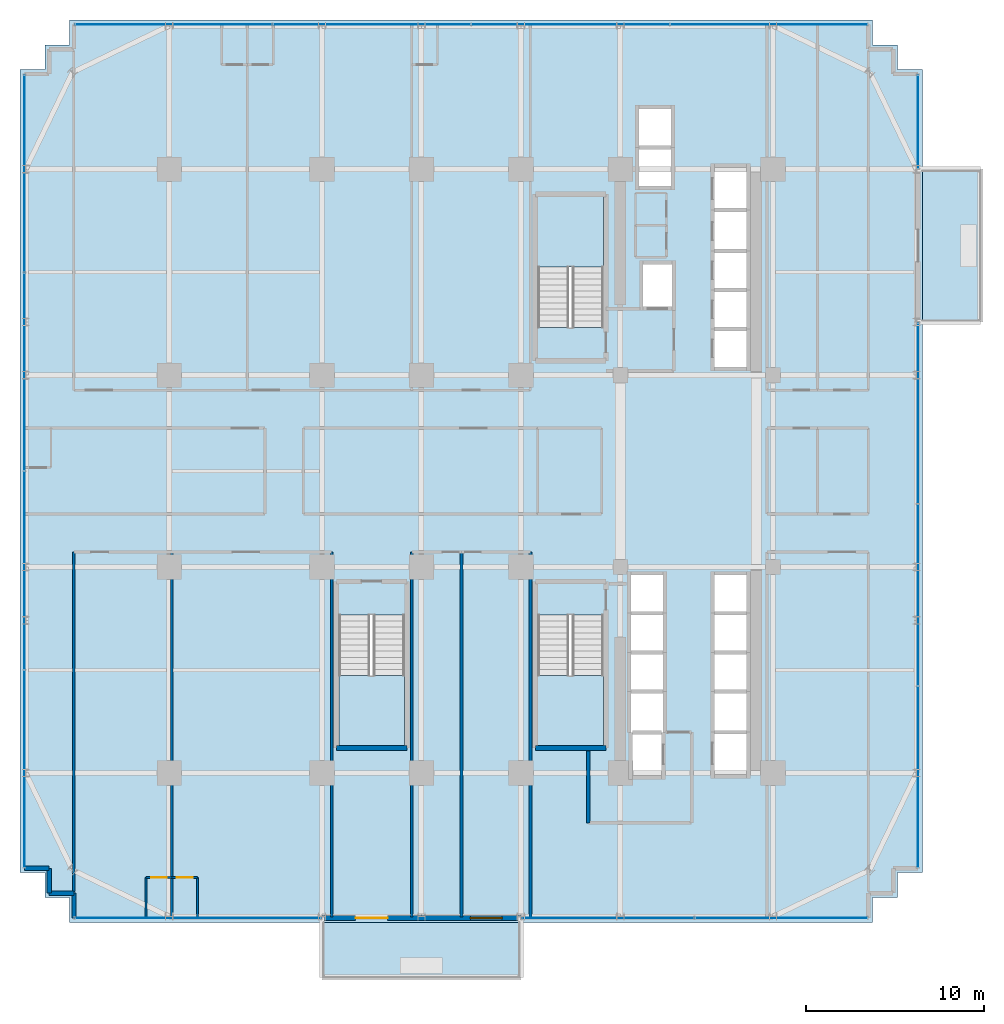
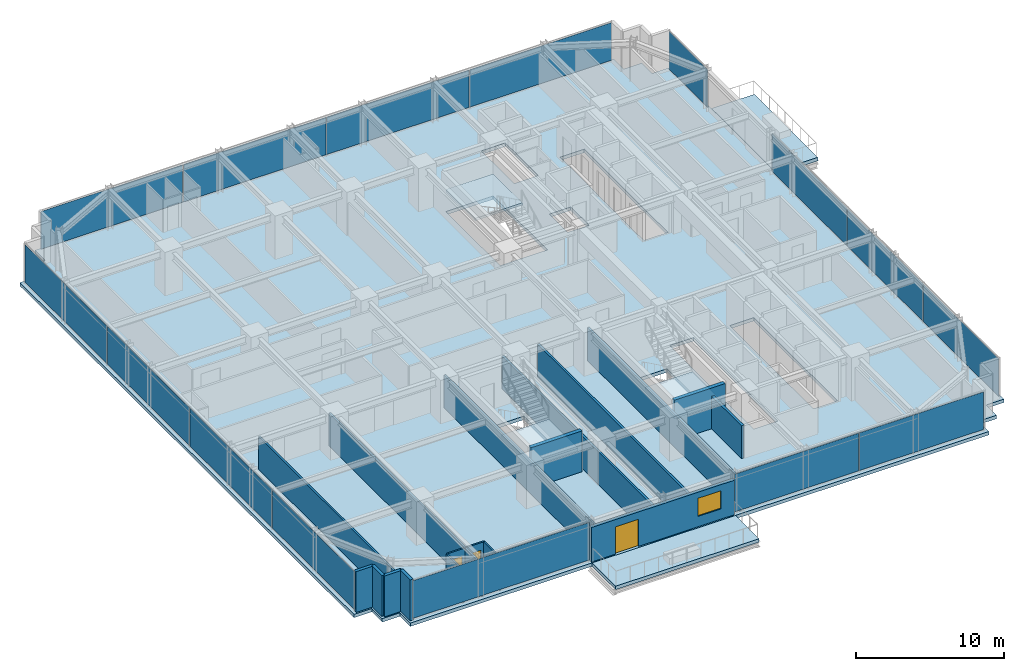
# One storey, part 29 of 36: 18 walls, 15 plates, 6 slabs, 3 doors, 1 window, 4 openings, 9 elements without a shape of their own.
"""IFC4 building model written with IfcOpenShell, lengths in metres."""

from ifc_helpers import new_model, si_unit, direction, frame, frame_2d, origin, origin_2d, place, context, subcontext, project, spatial, polyline, rectangle, outline, extrude, source, transform, mapped, material, layer, layer_set, type_object, element, fill, aggregate, save


model = new_model("IFC4")

# Units and contexts
model_context = context("Model", 3, precision=1e-05, world=origin(), true_north=direction((0.0, 1.0)))
body_context = subcontext(model_context, "Body", "Model", "MODEL_VIEW")
ifc_project = project(units=[si_unit("LENGTHUNIT", "METRE"), si_unit("AREAUNIT", "SQUARE_METRE"), si_unit("VOLUMEUNIT", "CUBIC_METRE"), si_unit("PLANEANGLEUNIT", "RADIAN"), si_unit("MASSUNIT", "GRAM", prefix="KILO")], contexts=[model_context])

# Site, building, storey
site_placement = place(None, origin())
site = spatial("IfcSite", under=ifc_project, at=site_placement, CompositionType="ELEMENT")
building_placement = place(site_placement, origin())
building = spatial("IfcBuilding", under=site, at=building_placement, Name="Nahalor Promenade Grand Hotel", CompositionType="ELEMENT")
storey_placement = place(building_placement, frame((0.0, 0.0, 72.550048828125)))
storey = spatial("IfcBuildingStorey", under=building, at=storey_placement, Name="L17", CompositionType="ELEMENT", Elevation=72.550048828125)

# Stair, slab
ifc_material_1 = material(Name="Concrete B-50 (C40/50)", Category="concrete")
stair_type_1 = type_object("IfcStairType", Name="Stair-ST1", PredefinedType="HALF_TURN_STAIR", material=ifc_material_1)
stair_1_placement = place(storey_placement, origin())
stair_1 = element("IfcStair", 1, at=stair_1_placement, inside=storey, type_object=stair_type_1, Name="L17 ST1", PredefinedType="HALF_TURN_STAIR")
ifc_layer_1 = layer(ifc_material_1, 0.199951171875)
ifc_layer_set_1 = layer_set([ifc_layer_1], Name="Concrete B-50 (C40/50)")
slab_type_1 = type_object("IfcSlabType", Name="Landing-ST1", PredefinedType="LANDING", material=ifc_layer_set_1)
slab_1_placement = place(storey_placement, frame((0.0, 0.0, 1.625)))
slab_1 = element("IfcSlab", 2, at=slab_1_placement, type_object=slab_type_1, Name="ST1 landing 1", PredefinedType="LANDING", context=body_context, shape_type="SweptSolid", body=[
    extrude(outline(polyline([(7.449951171875, 11.5), (7.449951171875, 15.449951171875), (3.75, 15.449951171875), (3.75, 11.5), (7.449951171875, 11.5)])), origin(), (0.0, 0.0, 1.0), 0.199951171875),
])
aggregate(stair_1, [slab_1])

stair_type_2 = type_object("IfcStairType", Name="Stair-ST2", PredefinedType="HALF_TURN_STAIR", material=ifc_material_1)
stair_2_placement = place(storey_placement, origin())
stair_2 = element("IfcStair", 3, at=stair_2_placement, inside=storey, type_object=stair_type_2, Name="L17 ST2", PredefinedType="HALF_TURN_STAIR")
ifc_layer_2 = layer(ifc_material_1, 0.2099609375)
ifc_layer_set_2 = layer_set([ifc_layer_2], Name="Concrete B-50 (C40/50)")
slab_type_2 = type_object("IfcSlabType", Name="Landing-ST2", PredefinedType="LANDING", material=ifc_layer_set_2)
slab_2_placement = place(storey_placement, frame((0.0, 0.0, 1.614990234375)))
slab_2 = element("IfcSlab", 4, at=slab_2_placement, type_object=slab_type_2, Name="ST2 landing 1", PredefinedType="LANDING", context=body_context, shape_type="SweptSolid", body=[
    extrude(outline(polyline([(3.75, -11.5), (3.75, -15.449951171875), (7.449951171875, -15.449951171875), (7.449951171875, -11.5), (3.75, -11.5)])), origin(), (0.0, 0.0, 1.0), 0.2099609375),
])
aggregate(stair_2, [slab_2])

stair_type_3 = type_object("IfcStairType", Name="Stair-ST3", PredefinedType="HALF_TURN_STAIR", material=ifc_material_1)
stair_3_placement = place(storey_placement, origin())
stair_3 = element("IfcStair", 5, at=stair_3_placement, inside=storey, type_object=stair_type_3, Name="L17 ST3", PredefinedType="HALF_TURN_STAIR")
ifc_layer_3 = layer(ifc_material_1, 0.219970703125)
ifc_layer_set_3 = layer_set([ifc_layer_3], Name="Concrete B-50 (C40/50)")
slab_type_3 = type_object("IfcSlabType", Name="Landing-ST3", PredefinedType="LANDING", material=ifc_layer_set_3)
slab_3_placement = place(storey_placement, frame((0.0, 0.0, 1.60498046875)))
slab_3 = element("IfcSlab", 6, at=slab_3_placement, type_object=slab_type_3, Name="ST3 landing 1", PredefinedType="LANDING", context=body_context, shape_type="SweptSolid", body=[
    extrude(outline(polyline([(-7.449951171875, -11.5), (-7.449951171875, -15.449951171875), (-3.75, -15.449951171875), (-3.75, -11.5), (-7.449951171875, -11.5)])), origin(), (0.0, 0.0, 1.0), 0.219970703125),
])
aggregate(stair_3, [slab_3])

# Slabs
ifc_layer_4 = layer(ifc_material_1, 0.280029296875)
ifc_layer_set_4 = layer_set([ifc_layer_4], Name="Concrete B-50 (C40/50)")
slab_type_4 = type_object("IfcSlabType", Name="Slab-Balcony-280", PredefinedType="FLOOR", material=ifc_layer_set_4)
slab_4_placement = place(storey_placement, frame((0.0, 0.0, -0.280029296875)))
element("IfcSlab", 7, at=slab_4_placement, inside=storey, type_object=slab_type_4, Name="L17 Cantilevered Planted Balcony 1", PredefinedType="FLOOR", context=body_context, shape_type="SweptSolid", body=[
    extrude(outline(polyline([(-8.39990234375, -28.580078125), (2.800048828125, -28.580078125), (2.800048828125, -25.39990234375), (-8.39990234375, -25.39990234375), (-8.39990234375, -28.580078125)])), origin(), (0.0, 0.0, 1.0), 0.280029296875),
])
slab_5_placement = place(storey_placement, frame((0.0, 0.0, -0.280029296875)))
element("IfcSlab", 8, at=slab_5_placement, inside=storey, type_object=slab_type_4, Name="L17 Cantilevered Planted Balcony 2", PredefinedType="FLOOR", context=body_context, shape_type="SweptSolid", body=[
    extrude(outline(polyline([(25.39990234375, 8.39990234375), (28.75, 8.39990234375), (28.75, 17.0), (25.39990234375, 17.0), (25.39990234375, 8.39990234375)])), origin(), (0.0, 0.0, 1.0), 0.280029296875),
])
ifc_layer_5 = layer(ifc_material_1, 0.280029296875)
ifc_layer_set_5 = layer_set([ifc_layer_5], Name="Concrete B-50 (C40/50)")
slab_type_5 = type_object("IfcSlabType", Name="Slab-TowerZ1-280", PredefinedType="FLOOR", material=ifc_layer_set_5)
slab_6_placement = place(storey_placement, frame((0.0, 0.0, -0.280029296875)))
element("IfcSlab", 9, at=slab_6_placement, inside=storey, type_object=slab_type_5, Name="L17 Suspended Structural Floor Slab", PredefinedType="FLOOR", context=body_context, shape_type="SweptSolid", body=[
    extrude(outline(polyline([(-22.60009765625, -25.39990234375), (22.60009765625, -25.39990234375), (22.60009765625, -24.0), (24.0, -24.0), (24.0, -22.60009765625), (25.39990234375, -22.60009765625), (25.39990234375, 22.60009765625), (24.0, 22.60009765625), (24.0, 24.0), (22.60009765625, 24.0), (22.60009765625, 25.39990234375), (-22.60009765625, 25.39990234375), (-22.60009765625, 24.0), (-24.0, 24.0), (-24.0, 22.60009765625), (-25.39990234375, 22.60009765625), (-25.39990234375, -22.60009765625), (-24.0, -22.60009765625), (-24.0, -24.0), (-22.60009765625, -24.0), (-22.60009765625, -25.39990234375)]), holes=[polyline([(3.75, 8.10009765625), (7.449951171875, 8.10009765625), (7.449951171875, 15.449951171875), (3.75, 15.449951171875), (3.75, 8.10009765625)]), polyline([(3.75, -15.449951171875), (7.449951171875, -15.449951171875), (7.449951171875, -8.10009765625), (3.75, -8.10009765625), (3.75, -15.449951171875)]), polyline([(-7.449951171875, -15.449951171875), (-3.75, -15.449951171875), (-3.75, -8.10009765625), (-7.449951171875, -8.10009765625), (-7.449951171875, -15.449951171875)]), polyline([(13.659912109375, 5.81005859375), (15.5400390625, 5.81005859375), (15.5400390625, 17.139892578125), (13.659912109375, 17.139892578125), (13.659912109375, 5.81005859375)]), polyline([(13.659912109375, -17.139892578125), (15.5400390625, -17.139892578125), (15.5400390625, -5.81005859375), (13.659912109375, -5.81005859375), (13.659912109375, -17.139892578125)]), polyline([(8.9599609375, -17.18994140625), (10.840087890625, -17.18994140625), (10.840087890625, -5.81005859375), (8.9599609375, -5.81005859375), (8.9599609375, -17.18994140625)]), polyline([(9.409912109375, 16.010009765625), (11.2900390625, 16.010009765625), (11.2900390625, 20.43994140625), (9.409912109375, 20.43994140625), (9.409912109375, 16.010009765625)]), polyline([(9.659912109375, 9.2099609375), (11.340087890625, 9.2099609375), (11.340087890625, 11.68994140625), (9.659912109375, 11.68994140625), (9.659912109375, 9.2099609375)])]), origin(), (0.0, 0.0, 1.0), 0.280029296875),
])

# Curtain wall, plate
ifc_material_2 = material(Name="Anodised Bronze Aluminium EN AW-6063 T6", Category="aluminium")
curtain_wall_type = type_object("IfcCurtainWallType", Name="CW2 Typical Hotel Flush Bronze Unitised Curtain Wall", PredefinedType="USERDEFINED", material=ifc_material_2)
curtain_wall_1_placement = place(storey_placement, origin())
curtain_wall_1 = element("IfcCurtainWall", 10, at=curtain_wall_1_placement, inside=storey, type_object=curtain_wall_type, Name="L17 Curtain Wall CW-L17-E-3", ObjectType="UNITISED_CURTAIN_WALL", PredefinedType="USERDEFINED")
ifc_material_3 = material(Name="Low-E Laminated Solar Glass", Category="glass")
ifc_layer_6 = layer(ifc_material_3, 0.028076171875)
ifc_layer_set_6 = layer_set([ifc_layer_6], Name="Low-E Laminated Solar Glass")
plate_type = type_object("IfcPlateType", Name="CWP2 Bronze Low-E Vision IGU 28mm", PredefinedType="CURTAIN_PANEL", material=ifc_layer_set_6)
shared_shape_1 = source(origin(), body_context, "Body", "SweptSolid", [
    extrude(rectangle(XDim=5.22998046875, YDim=0.028076171875, at=origin_2d()), origin(), (0.0, 0.0, 1.0), 3.110107421875),
])
plate_1_placement = place(storey_placement, frame((25.159912109375, 19.679931640625, 0.1298828125), z_axis=(0.0, 0.0, 1.0), x_axis=(0.0, 1.0, 0.0)))
plate_1 = element("IfcPlate", 11, at=plate_1_placement, type_object=plate_type, Name="CW-L17-E-3 Glazing Panel 0-0", PredefinedType="CURTAIN_PANEL", context=body_context, shape_type="MappedRepresentation", body=[
    mapped(shared_shape_1, transform((0.0, 0.0, 0.0), scale=1.0)),
])
aggregate(curtain_wall_1, [plate_1])

# Curtain wall, plates
curtain_wall_2_placement = place(storey_placement, origin())
curtain_wall_2 = element("IfcCurtainWall", 12, at=curtain_wall_2_placement, inside=storey, type_object=curtain_wall_type, Name="L17 Curtain Wall CW-L17-E-1", ObjectType="UNITISED_CURTAIN_WALL", PredefinedType="USERDEFINED")
shared_shape_2 = source(origin(), body_context, "Body", "SweptSolid", [
    extrude(rectangle(XDim=10.15576171875, YDim=0.028076171875, at=origin_2d()), origin(), (0.0, 0.0, 1.0), 3.110107421875),
])
plate_2_placement = place(storey_placement, frame((25.159912109375, -17.217041015625, 0.1298828125), z_axis=(0.0, 0.0, 1.0), x_axis=(0.0, 1.0, 0.0)))
plate_2 = element("IfcPlate", 13, at=plate_2_placement, type_object=plate_type, Name="CW-L17-E-1 Glazing Panel 0-0", PredefinedType="CURTAIN_PANEL", context=body_context, shape_type="MappedRepresentation", body=[
    mapped(shared_shape_2, transform((0.0, 0.0, 0.0), scale=1.0)),
])
plate_3_placement = place(storey_placement, frame((25.159912109375, 3.257080078125, 0.1298828125), z_axis=(0.0, 0.0, 1.0), x_axis=(0.0, 1.0, 0.0)))
plate_3 = element("IfcPlate", 14, at=plate_3_placement, type_object=plate_type, Name="CW-L17-E-1 Glazing Panel 2-0", PredefinedType="CURTAIN_PANEL", context=body_context, shape_type="MappedRepresentation", body=[
    mapped(shared_shape_2, transform((0.0, 0.0, 0.0), scale=1.0)),
])
shared_shape_3 = source(origin(), body_context, "Body", "SweptSolid", [
    extrude(rectangle(XDim=10.188232421875, YDim=0.028076171875, at=origin_2d()), origin(), (0.0, 0.0, 1.0), 3.110107421875),
])
plate_4_placement = place(storey_placement, frame((25.159912109375, -6.97998046875, 0.1298828125), z_axis=(0.0, 0.0, 1.0), x_axis=(0.0, 1.0, 0.0)))
plate_4 = element("IfcPlate", 15, at=plate_4_placement, type_object=plate_type, Name="CW-L17-E-1 Glazing Panel 1-0", PredefinedType="CURTAIN_PANEL", context=body_context, shape_type="MappedRepresentation", body=[
    mapped(shared_shape_3, transform((0.0, 0.0, 0.0), scale=1.0)),
])
aggregate(curtain_wall_2, [plate_2, plate_4, plate_3])

curtain_wall_3_placement = place(storey_placement, origin())
curtain_wall_3 = element("IfcCurtainWall", 16, at=curtain_wall_3_placement, inside=storey, type_object=curtain_wall_type, Name="L17 Curtain Wall CW-L17-N-1", ObjectType="UNITISED_CURTAIN_WALL", PredefinedType="USERDEFINED")
shared_shape_4 = source(origin(), body_context, "Body", "SweptSolid", [
    extrude(rectangle(XDim=11.08251953125, YDim=0.028076171875, at=origin_2d()), origin(), (0.0, 0.0, 1.0), 3.110107421875),
])
plate_5_placement = place(storey_placement, frame((-16.753662109375, 25.159912109375, 0.1298828125), z_axis=(0.0, 0.0, 1.0), x_axis=(1.0, 0.0, 0.0)))
plate_5 = element("IfcPlate", 17, at=plate_5_placement, type_object=plate_type, Name="CW-L17-N-1 Glazing Panel 0-0", PredefinedType="CURTAIN_PANEL", context=body_context, shape_type="MappedRepresentation", body=[
    mapped(shared_shape_4, transform((0.0, 0.0, 0.0), scale=1.0)),
])
plate_6_placement = place(storey_placement, frame((16.753662109375, 25.159912109375, 0.1298828125), z_axis=(0.0, 0.0, 1.0), x_axis=(1.0, 0.0, 0.0)))
plate_6 = element("IfcPlate", 18, at=plate_6_placement, type_object=plate_type, Name="CW-L17-N-1 Glazing Panel 3-0", PredefinedType="CURTAIN_PANEL", context=body_context, shape_type="MappedRepresentation", body=[
    mapped(shared_shape_4, transform((0.0, 0.0, 0.0), scale=1.0)),
])

curtain_wall_4_placement = place(storey_placement, origin())
curtain_wall_4 = element("IfcCurtainWall", 19, at=curtain_wall_4_placement, inside=storey, type_object=curtain_wall_type, Name="L17 Curtain Wall CW-L17-W-1", ObjectType="UNITISED_CURTAIN_WALL", PredefinedType="USERDEFINED")
plate_7_placement = place(storey_placement, frame((-25.159912109375, -16.753662109375, 0.1298828125), z_axis=(0.0, 0.0, 1.0), x_axis=(0.0, 1.0, 0.0)))
plate_7 = element("IfcPlate", 20, at=plate_7_placement, type_object=plate_type, Name="CW-L17-W-1 Glazing Panel 0-0", PredefinedType="CURTAIN_PANEL", context=body_context, shape_type="MappedRepresentation", body=[
    mapped(shared_shape_4, transform((0.0, 0.0, 0.0), scale=1.0)),
])
plate_8_placement = place(storey_placement, frame((-25.159912109375, 16.753662109375, 0.1298828125), z_axis=(0.0, 0.0, 1.0), x_axis=(0.0, 1.0, 0.0)))
plate_8 = element("IfcPlate", 21, at=plate_8_placement, type_object=plate_type, Name="CW-L17-W-1 Glazing Panel 3-0", PredefinedType="CURTAIN_PANEL", context=body_context, shape_type="MappedRepresentation", body=[
    mapped(shared_shape_4, transform((0.0, 0.0, 0.0), scale=1.0)),
])

# Plate
shared_shape_5 = source(origin(), body_context, "Body", "SweptSolid", [
    extrude(rectangle(XDim=11.114990234375, YDim=0.028076171875, at=origin_2d()), origin(), (0.0, 0.0, 1.0), 3.110107421875),
])
plate_9_placement = place(storey_placement, frame((-5.590087890625, 25.159912109375, 0.1298828125), z_axis=(0.0, 0.0, 1.0), x_axis=(1.0, 0.0, 0.0)))
plate_9 = element("IfcPlate", 22, at=plate_9_placement, type_object=plate_type, Name="CW-L17-N-1 Glazing Panel 1-0", PredefinedType="CURTAIN_PANEL", context=body_context, shape_type="MappedRepresentation", body=[
    mapped(shared_shape_5, transform((0.0, 0.0, 0.0), scale=1.0)),
])

plate_10_placement = place(storey_placement, frame((5.590087890625, 25.159912109375, 0.1298828125), z_axis=(0.0, 0.0, 1.0), x_axis=(1.0, 0.0, 0.0)))
plate_10 = element("IfcPlate", 23, at=plate_10_placement, type_object=plate_type, Name="CW-L17-N-1 Glazing Panel 2-0", PredefinedType="CURTAIN_PANEL", context=body_context, shape_type="MappedRepresentation", body=[
    mapped(shared_shape_5, transform((0.0, 0.0, 0.0), scale=1.0)),
])

aggregate(curtain_wall_3, [plate_5, plate_9, plate_10, plate_6])

plate_11_placement = place(storey_placement, frame((-25.159912109375, -5.590087890625, 0.1298828125), z_axis=(0.0, 0.0, 1.0), x_axis=(0.0, 1.0, 0.0)))
plate_11 = element("IfcPlate", 24, at=plate_11_placement, type_object=plate_type, Name="CW-L17-W-1 Glazing Panel 1-0", PredefinedType="CURTAIN_PANEL", context=body_context, shape_type="MappedRepresentation", body=[
    mapped(shared_shape_5, transform((0.0, 0.0, 0.0), scale=1.0)),
])

plate_12_placement = place(storey_placement, frame((-25.159912109375, 5.590087890625, 0.1298828125), z_axis=(0.0, 0.0, 1.0), x_axis=(0.0, 1.0, 0.0)))
plate_12 = element("IfcPlate", 25, at=plate_12_placement, type_object=plate_type, Name="CW-L17-W-1 Glazing Panel 2-0", PredefinedType="CURTAIN_PANEL", context=body_context, shape_type="MappedRepresentation", body=[
    mapped(shared_shape_5, transform((0.0, 0.0, 0.0), scale=1.0)),
])

aggregate(curtain_wall_4, [plate_7, plate_11, plate_12, plate_8])

# Curtain wall, plate
curtain_wall_5_placement = place(storey_placement, origin())
curtain_wall_5 = element("IfcCurtainWall", 26, at=curtain_wall_5_placement, inside=storey, type_object=curtain_wall_type, Name="L17 Curtain Wall CW-L17-S-1", ObjectType="UNITISED_CURTAIN_WALL", PredefinedType="USERDEFINED")
shared_shape_6 = source(origin(), body_context, "Body", "SweptSolid", [
    extrude(rectangle(XDim=13.830078125, YDim=0.028076171875, at=origin_2d()), origin(), (0.0, 0.0, 1.0), 3.110107421875),
])
plate_13_placement = place(storey_placement, frame((-15.3798828125, -25.159912109375, 0.1298828125), z_axis=(0.0, 0.0, 1.0), x_axis=(1.0, 0.0, 0.0)))
plate_13 = element("IfcPlate", 27, at=plate_13_placement, type_object=plate_type, Name="CW-L17-S-1 Glazing Panel 0-0", PredefinedType="CURTAIN_PANEL", context=body_context, shape_type="MappedRepresentation", body=[
    mapped(shared_shape_6, transform((0.0, 0.0, 0.0), scale=1.0)),
])
aggregate(curtain_wall_5, [plate_13])

# Curtain wall, plates
curtain_wall_6_placement = place(storey_placement, origin())
curtain_wall_6 = element("IfcCurtainWall", 28, at=curtain_wall_6_placement, inside=storey, type_object=curtain_wall_type, Name="L17 Curtain Wall CW-L17-S-3", ObjectType="UNITISED_CURTAIN_WALL", PredefinedType="USERDEFINED")
shared_shape_7 = source(origin(), body_context, "Body", "SweptSolid", [
    extrude(rectangle(XDim=9.6826171875, YDim=0.028076171875, at=origin_2d()), origin(), (0.0, 0.0, 1.0), 3.110107421875),
])
plate_14_placement = place(storey_placement, frame((7.706298828125, -25.159912109375, 0.1298828125), z_axis=(0.0, 0.0, 1.0), x_axis=(1.0, 0.0, 0.0)))
plate_14 = element("IfcPlate", 29, at=plate_14_placement, type_object=plate_type, Name="CW-L17-S-3 Glazing Panel 0-0", PredefinedType="CURTAIN_PANEL", context=body_context, shape_type="MappedRepresentation", body=[
    mapped(shared_shape_7, transform((0.0, 0.0, 0.0), scale=1.0)),
])
plate_15_placement = place(storey_placement, frame((17.453857421875, -25.159912109375, 0.1298828125), z_axis=(0.0, 0.0, 1.0), x_axis=(1.0, 0.0, 0.0)))
plate_15 = element("IfcPlate", 30, at=plate_15_placement, type_object=plate_type, Name="CW-L17-S-3 Glazing Panel 1-0", PredefinedType="CURTAIN_PANEL", context=body_context, shape_type="MappedRepresentation", body=[
    mapped(shared_shape_7, transform((0.0, 0.0, 0.0), scale=1.0)),
])
aggregate(curtain_wall_6, [plate_14, plate_15])

# Walls
ifc_layer_7 = layer(ifc_material_1, 0.300048828125)
ifc_layer_set_7 = layer_set([ifc_layer_7], Name="Concrete B-50 (C40/50)")
wall_type_1 = type_object("IfcWallType", Name="Wall-ShaftShear-300", PredefinedType="SHEAR", material=ifc_layer_set_7)
shared_shape_8 = source(origin(), body_context, "Body", "SweptSolid", [
    extrude(rectangle(XDim=3.97998046875, YDim=0.300048828125, at=frame_2d((1.989990234375, 0.0))), origin(), (0.0, 0.0, 1.0), 3.369873046875),
])
for number, where, z_axis, x_axis, name in (
    (31, (3.610107421875, -15.590087890625, 0.0), (0.0, 0.0, 1.0), (1.0, 0.0, 0.0), "L17 Exit Stair ST2 Shaft Wall S"),
    (32, (-7.590087890625, -15.590087890625, 0.0), (0.0, 0.0, 1.0), (1.0, 0.0, 0.0), "L17 Exit Stair ST3 Shaft Wall S"),
):
    element("IfcWall", number, at=place(storey_placement, frame(where, z_axis=z_axis, x_axis=x_axis)), inside=storey, type_object=wall_type_1, Name=name, PredefinedType="SHEAR", context=body_context, shape_type="MappedRepresentation", body=[
        mapped(shared_shape_8, transform((0.0, 0.0, 0.0), scale=1.0)),
    ])
ifc_material_4 = material(Name="Concrete B-40 (C32/40)", Category="concrete")
ifc_layer_8 = layer(ifc_material_4, 0.25)
ifc_layer_set_8 = layer_set([ifc_layer_8], Name="Concrete B-40 (C32/40)")
wall_type_2 = type_object("IfcWallType", Name="Wall-BronzePier-250", PredefinedType="STANDARD", material=ifc_layer_set_8)
shared_shape_9 = source(origin(), body_context, "Body", "SweptSolid", [
    extrude(rectangle(XDim=1.39990234375, YDim=0.25, at=frame_2d((0.699951171875, 0.0))), origin(), (0.0, 0.0, 1.0), 3.369873046875),
])
for number, where, z_axis, x_axis, name in (
    (33, (-25.159912109375, -22.360107421875, 0.0), (0.0, 0.0, 1.0), (1.0, 0.0, 0.0), "W-L17-SR-13"),
    (34, (-23.760009765625, -23.760009765625, 0.0), (0.0, 0.0, 1.0), (0.0, 1.0, 0.0), "W-L17-SR-14"),
    (35, (-23.760009765625, -23.760009765625, 0.0), (0.0, 0.0, 1.0), (1.0, 0.0, 0.0), "W-L17-SR-15"),
    (36, (-22.360107421875, -25.159912109375, 0.0), (0.0, 0.0, 1.0), (0.0, 1.0, 0.0), "W-L17-SR-16"),
):
    element("IfcWall", number, at=place(storey_placement, frame(where, z_axis=z_axis, x_axis=x_axis)), inside=storey, type_object=wall_type_2, Name=name, PredefinedType="STANDARD", context=body_context, shape_type="MappedRepresentation", body=[
        mapped(shared_shape_9, transform((0.0, 0.0, 0.0), scale=1.0)),
    ])

# Wall, openings, door, window
ifc_layer_9 = layer(ifc_material_4, 0.260009765625)
ifc_layer_set_9 = layer_set([ifc_layer_9], Name="Concrete B-40 (C32/40)")
wall_type_3 = type_object("IfcWallType", Name="Wall-BalconyWall-260", PredefinedType="STANDARD", material=ifc_layer_set_9)
shared_shape_10 = source(origin(), body_context, "Body", "SweptSolid", [
    extrude(rectangle(XDim=11.199951171875, YDim=0.260009765625, at=frame_2d((5.60009765625, 0.0))), origin(), (0.0, 0.0, 1.0), 2.849853515625),
])
wall_1_placement = place(storey_placement, frame((-8.39990234375, -25.159912109375, 0.0), z_axis=(0.0, 0.0, 1.0), x_axis=(1.0, 0.0, 0.0)))
wall_1 = element("IfcWall", 37, at=wall_1_placement, inside=storey, type_object=wall_type_3, Name="W-L17-BALC-S-2", PredefinedType="STANDARD", context=body_context, shape_type="MappedRepresentation", body=[
    mapped(shared_shape_10, transform((0.0, 0.0, 0.0), scale=1.0)),
])
opening_1_placement = place(wall_1_placement, frame((1.89990234375, 0.0, 0.0)))
opening_1 = element("IfcOpeningElement", 38, at=opening_1_placement, cuts=wall_1, Name="Opening D-BC1", PredefinedType="OPENING", context=body_context, shape_type="SweptSolid", body=[
    extrude(rectangle(XDim=1.800048828125, YDim=2.25, at=frame_2d((0.89990234375, 1.125))), frame((0.0, 0.139892578125, 0.0), z_axis=(0.0, -1.0, 0.0), x_axis=(1.0, 0.0, 0.0)), (0.0, 0.0, 1.0), 0.280029296875),
])
opening_2_placement = place(wall_1_placement, frame((8.35009765625, 0.0, 0.85009765625)))
opening_2 = element("IfcOpeningElement", 39, at=opening_2_placement, cuts=wall_1, Name="Opening WN-01", PredefinedType="OPENING", context=body_context, shape_type="SweptSolid", body=[
    extrude(rectangle(XDim=1.800048828125, YDim=1.5, at=frame_2d((0.89990234375, 0.75))), frame((0.0, 0.139892578125, 0.0), z_axis=(0.0, -1.0, 0.0), x_axis=(1.0, 0.0, 0.0)), (0.0, 0.0, 1.0), 0.280029296875),
])
door_type_1 = type_object("IfcDoorType", Name="Door-BalconySlide-1800", OperationType="DOUBLE_DOOR_SLIDING", PredefinedType="DOOR", material=ifc_material_2)
shared_shape_11 = source(origin(), body_context, "Body", "SweptSolid", [
    extrude(rectangle(XDim=1.800048828125, YDim=2.25, at=frame_2d((0.89990234375, 1.125))), frame((0.0, 0.02490234375, 0.0), z_axis=(0.0, -1.0, 0.0), x_axis=(1.0, 0.0, 0.0)), (0.0, 0.0, 1.0), 0.050048828125),
])
door_1_placement = place(opening_1_placement, frame((1.800048828125, 0.0, 0.0), z_axis=(0.0, 0.0, 1.0), x_axis=(-1.0, 0.0, 0.0)))
door_1 = element("IfcDoor", 40, at=door_1_placement, inside=storey, type_object=door_type_1, Name="DR-L17-BALC-S-2", OperationType="DOUBLE_DOOR_SLIDING", OverallHeight=2.25, OverallWidth=1.800048828125, PredefinedType="DOOR", context=body_context, shape_type="MappedRepresentation", body=[
    mapped(shared_shape_11, transform((0.0, 0.0, 0.0), scale=1.0)),
])
fill(opening_1, door_1)
window_type = type_object("IfcWindowType", Name="Win-ChicagoBay-1800x1500", PartitioningType="SINGLE_PANEL", PredefinedType="WINDOW", material=ifc_material_3)
shared_shape_12 = source(origin(), body_context, "Body", "SweptSolid", [
    extrude(rectangle(XDim=1.800048828125, YDim=1.5, at=frame_2d((0.89990234375, 0.75))), frame((0.0, 0.030029296875, 0.0), z_axis=(0.0, -1.0, 0.0), x_axis=(1.0, 0.0, 0.0)), (0.0, 0.0, 1.0), 0.06005859375),
])
window_placement = place(opening_2_placement, origin())
window = element("IfcWindow", 41, at=window_placement, inside=storey, type_object=window_type, Name="WN-L17-BALC-S-2-1", OverallHeight=1.5, OverallWidth=1.800048828125, PartitioningType="SINGLE_PANEL", PredefinedType="WINDOW", context=body_context, shape_type="MappedRepresentation", body=[
    mapped(shared_shape_12, transform((0.0, 0.0, 0.0), scale=1.0)),
])
fill(opening_2, window)

# Walls
ifc_layer_10 = layer(ifc_material_4, 0.199951171875)
ifc_layer_set_10 = layer_set([ifc_layer_10], Name="Concrete B-40 (C32/40)")
wall_type_4 = type_object("IfcWallType", Name="Wall-PartFire-200", PredefinedType="PARTITIONING", material=ifc_layer_set_10)
shared_shape_13 = source(origin(), body_context, "Body", "SweptSolid", [
    extrude(rectangle(XDim=4.030029296875, YDim=0.199951171875, at=frame_2d((2.01513671875, 0.0))), origin(), (0.0, 0.0, 1.0), 2.7099609375),
])
wall_2_placement = place(storey_placement, frame((6.60009765625, -19.800048828125, 0.0), z_axis=(0.0, 0.0, 1.0), x_axis=(0.0, 1.0, 0.0)))
element("IfcWall", 42, at=wall_2_placement, inside=storey, type_object=wall_type_4, Name="W-L17-FF2-W1", PredefinedType="PARTITIONING", context=body_context, shape_type="MappedRepresentation", body=[
    mapped(shared_shape_13, transform((0.0, 0.0, 0.0), scale=1.0)),
])
ifc_material_5 = material(Name="Acoustic Mineral Gypsum", Category="gypsum")
ifc_layer_11 = layer(ifc_material_5, 0.159912109375)
ifc_layer_set_11 = layer_set([ifc_layer_11], Name="Acoustic Mineral Gypsum")
wall_type_5 = type_object("IfcWallType", Name="Wall-PartCorridor-160", PredefinedType="PARTITIONING", material=ifc_layer_set_11)
shared_shape_14 = source(origin(), body_context, "Body", "SweptSolid", [
    extrude(rectangle(XDim=20.550048828125, YDim=0.159912109375, at=frame_2d((10.27490234375, 0.0))), origin(), (0.0, 0.0, 1.0), 2.7099609375),
])
for number, where, z_axis, x_axis, name in (
    (43, (-3.340087890625, -25.10009765625, 0.0), (0.0, 0.0, 1.0), (0.0, 1.0, 0.0), "W-L17-SCB1-W"),
    (44, (-0.550048828125, -25.10009765625, 0.0), (0.0, 0.0, 1.0), (0.0, 1.0, 0.0), "W-L17-SCB1-E"),
    (45, (3.340087890625, -25.10009765625, 0.0), (0.0, 0.0, 1.0), (0.0, 1.0, 0.0), "W-L17-SCB2-E"),
):
    element("IfcWall", number, at=place(storey_placement, frame(where, z_axis=z_axis, x_axis=x_axis)), inside=storey, type_object=wall_type_5, Name=name, PredefinedType="PARTITIONING", context=body_context, shape_type="MappedRepresentation", body=[
        mapped(shared_shape_14, transform((0.0, 0.0, 0.0), scale=1.0)),
    ])
ifc_layer_12 = layer(ifc_material_5, 0.139892578125)
ifc_layer_set_12 = layer_set([ifc_layer_12], Name="Acoustic Mineral Gypsum")
wall_type_6 = type_object("IfcWallType", Name="Wall-PartSuite-140", PredefinedType="PARTITIONING", material=ifc_layer_set_12)
shared_shape_15 = source(origin(), body_context, "Body", "SweptSolid", [
    extrude(rectangle(XDim=19.1298828125, YDim=0.139892578125, at=frame_2d((9.56494140625, 0.0))), origin(), (0.0, 0.0, 1.0), 2.7099609375),
])
wall_3_placement = place(storey_placement, frame((-22.360107421875, -23.679931640625, 0.0), z_axis=(0.0, 0.0, 1.0), x_axis=(0.0, 1.0, 0.0)))
element("IfcWall", 46, at=wall_3_placement, inside=storey, type_object=wall_type_6, Name="W-L17-SW-ENDW", PredefinedType="PARTITIONING", context=body_context, shape_type="MappedRepresentation", body=[
    mapped(shared_shape_15, transform((0.0, 0.0, 0.0), scale=1.0)),
])
shared_shape_16 = source(origin(), body_context, "Body", "SweptSolid", [
    extrude(rectangle(XDim=20.550048828125, YDim=0.139892578125, at=frame_2d((10.27490234375, 0.0))), origin(), (0.0, 0.0, 1.0), 2.7099609375),
])
for number, where, z_axis, x_axis, name in (
    (47, (-7.860107421875, -25.10009765625, 0.0), (0.0, 0.0, 1.0), (0.0, 1.0, 0.0), "W-L17-SW-ENDE"),
    (48, (-16.85009765625, -25.10009765625, 0.0), (0.0, 0.0, 1.0), (0.0, 1.0, 0.0), "W-L17-SP-1"),
):
    element("IfcWall", number, at=place(storey_placement, frame(where, z_axis=z_axis, x_axis=x_axis)), inside=storey, type_object=wall_type_6, Name=name, PredefinedType="PARTITIONING", context=body_context, shape_type="MappedRepresentation", body=[
        mapped(shared_shape_16, transform((0.0, 0.0, 0.0), scale=1.0)),
    ])

# Wall, opening, door
ifc_layer_13 = layer(ifc_material_5, 0.1201171875)
ifc_layer_set_13 = layer_set([ifc_layer_13], Name="Acoustic Mineral Gypsum")
wall_type_7 = type_object("IfcWallType", Name="Wall-PartBath-120", PredefinedType="PARTITIONING", material=ifc_layer_set_13)
shared_shape_17 = source(origin(), body_context, "Body", "SweptSolid", [
    extrude(rectangle(XDim=1.4501953125, YDim=0.1201171875, at=frame_2d((0.72509765625, 0.0))), origin(), (0.0, 0.0, 1.0), 2.7099609375),
])
wall_4_placement = place(storey_placement, frame((-16.85009765625, -22.8798828125, 0.0), z_axis=(0.0, 0.0, 1.0), x_axis=(1.0, 0.0, 0.0)))
wall_4 = element("IfcWall", 49, at=wall_4_placement, inside=storey, type_object=wall_type_7, Name="W-L17-S2-BH", PredefinedType="PARTITIONING", context=body_context, shape_type="MappedRepresentation", body=[
    mapped(shared_shape_17, transform((0.0, 0.0, 0.0), scale=1.0)),
])
opening_3_placement = place(wall_4_placement, frame((0.284912109375, 0.0, 0.0)))
opening_3 = element("IfcOpeningElement", 50, at=opening_3_placement, cuts=wall_4, Name="Opening D-03", PredefinedType="OPENING", context=body_context, shape_type="SweptSolid", body=[
    extrude(rectangle(XDim=0.8798828125, YDim=2.10009765625, at=frame_2d((0.43994140625, 1.050048828125))), frame((0.0, 0.070068359375, 0.0), z_axis=(0.0, -1.0, 0.0), x_axis=(1.0, 0.0, 0.0)), (0.0, 0.0, 1.0), 0.14013671875),
])
ifc_material_6 = material(Name="Fire-Rated Timber Composite", Category="wood")
door_type_2 = type_object("IfcDoorType", Name="Door-BathSwing-880", OperationType="NOTDEFINED", PredefinedType="DOOR", material=ifc_material_6)
shared_shape_18 = source(origin(), body_context, "Body", "SweptSolid", [
    extrude(rectangle(XDim=0.8798828125, YDim=2.10009765625, at=frame_2d((0.43994140625, 1.050048828125))), frame((0.0, 0.02490234375, 0.0), z_axis=(0.0, -1.0, 0.0), x_axis=(1.0, 0.0, 0.0)), (0.0, 0.0, 1.0), 0.050048828125),
])
door_2_placement = place(opening_3_placement, frame((0.8798828125, 0.0, 0.0), z_axis=(0.0, 0.0, 1.0), x_axis=(-1.0, 0.0, 0.0)))
door_2 = element("IfcDoor", 51, at=door_2_placement, inside=storey, type_object=door_type_2, Name="DR-L17-S2-BATH", OperationType="SINGLE_SWING_RIGHT", OverallHeight=2.10009765625, OverallWidth=0.8798828125, PredefinedType="DOOR", context=body_context, shape_type="MappedRepresentation", body=[
    mapped(shared_shape_18, transform((0.0, 0.0, 0.0), scale=1.0)),
])
fill(opening_3, door_2)

# Walls
shared_shape_19 = source(origin(), body_context, "Body", "SweptSolid", [
    extrude(rectangle(XDim=2.22021484375, YDim=0.1201171875, at=frame_2d((1.110107421875, 0.0))), origin(), (0.0, 0.0, 1.0), 2.7099609375),
])
for number, where, z_axis, x_axis, name in (
    (52, (-18.300048828125, -25.10009765625, 0.0), (0.0, 0.0, 1.0), (0.0, 1.0, 0.0), "W-L17-S1-BV"),
    (53, (-15.39990234375, -25.10009765625, 0.0), (0.0, 0.0, 1.0), (0.0, 1.0, 0.0), "W-L17-S2-BV"),
):
    element("IfcWall", number, at=place(storey_placement, frame(where, z_axis=z_axis, x_axis=x_axis)), inside=storey, type_object=wall_type_7, Name=name, PredefinedType="PARTITIONING", context=body_context, shape_type="MappedRepresentation", body=[
        mapped(shared_shape_19, transform((0.0, 0.0, 0.0), scale=1.0)),
    ])

# Wall, opening, door
shared_shape_20 = source(origin(), body_context, "Body", "SweptSolid", [
    extrude(rectangle(XDim=1.449951171875, YDim=0.1201171875, at=frame_2d((0.72509765625, 0.0))), origin(), (0.0, 0.0, 1.0), 2.7099609375),
])
wall_5_placement = place(storey_placement, frame((-18.300048828125, -22.8798828125, 0.0), z_axis=(0.0, 0.0, 1.0), x_axis=(1.0, 0.0, 0.0)))
wall_5 = element("IfcWall", 54, at=wall_5_placement, inside=storey, type_object=wall_type_7, Name="W-L17-S1-BH", PredefinedType="PARTITIONING", context=body_context, shape_type="MappedRepresentation", body=[
    mapped(shared_shape_20, transform((0.0, 0.0, 0.0), scale=1.0)),
])
opening_4_placement = place(wall_5_placement, frame((0.284912109375, 0.0, 0.0)))
opening_4 = element("IfcOpeningElement", 55, at=opening_4_placement, cuts=wall_5, Name="Opening D-03", PredefinedType="OPENING", context=body_context, shape_type="SweptSolid", body=[
    extrude(rectangle(XDim=0.8798828125, YDim=2.10009765625, at=frame_2d((0.43994140625, 1.050048828125))), frame((0.0, 0.070068359375, 0.0), z_axis=(0.0, -1.0, 0.0), x_axis=(1.0, 0.0, 0.0)), (0.0, 0.0, 1.0), 0.14013671875),
])
door_3_placement = place(opening_4_placement, frame((0.8798828125, 0.0, 0.0), z_axis=(0.0, 0.0, 1.0), x_axis=(-1.0, 0.0, 0.0)))
door_3 = element("IfcDoor", 56, at=door_3_placement, inside=storey, type_object=door_type_2, Name="DR-L17-S1-BATH", OperationType="SINGLE_SWING_RIGHT", OverallHeight=2.10009765625, OverallWidth=0.8798828125, PredefinedType="DOOR", context=body_context, shape_type="MappedRepresentation", body=[
    mapped(shared_shape_18, transform((0.0, 0.0, 0.0), scale=1.0)),
])
fill(opening_4, door_3)

save(model, "model.ifc")
